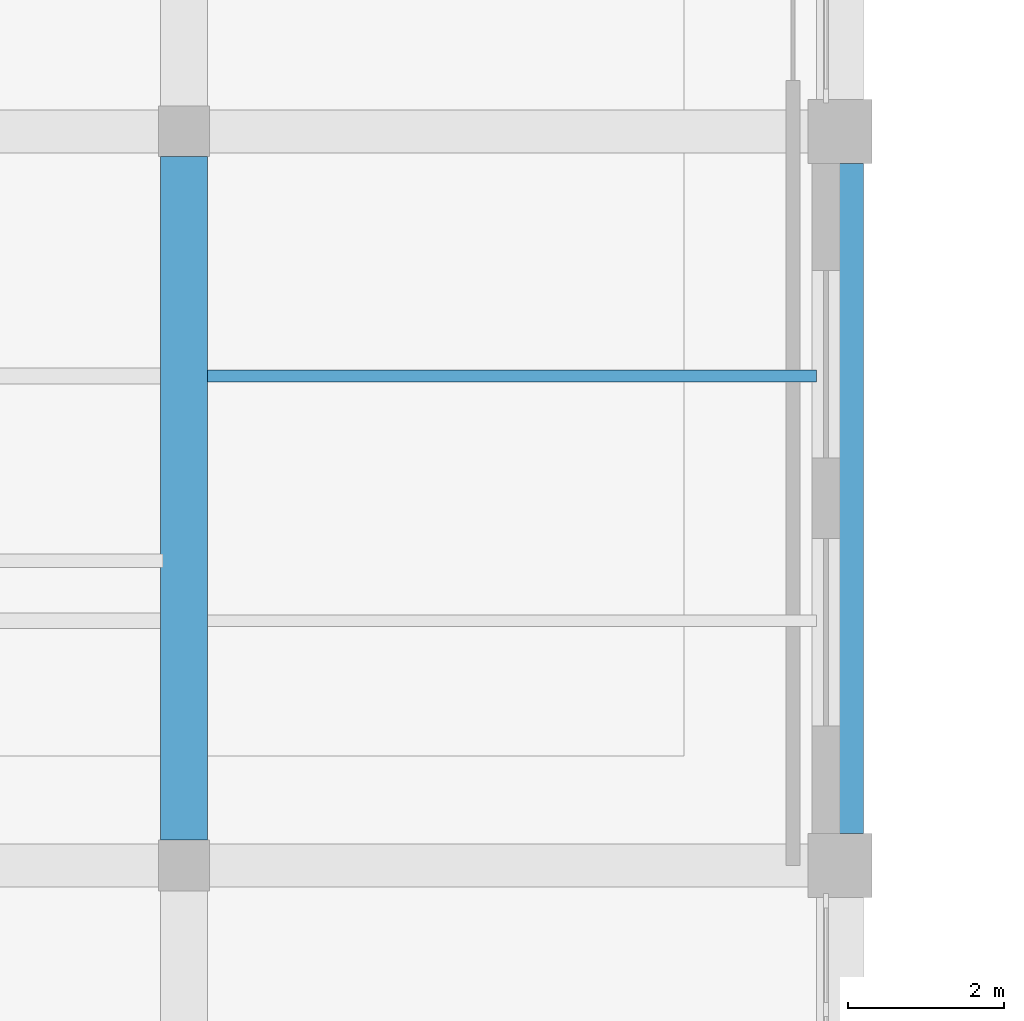
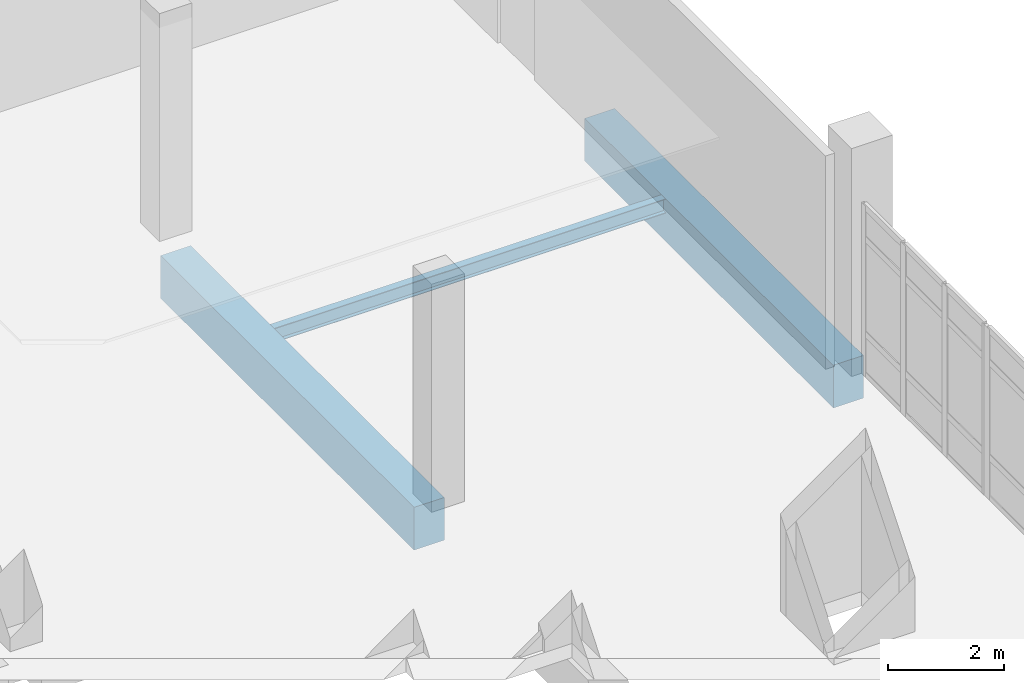
# One storey, part 27 of 90: 3 beams.
"""IFC4 building model written with IfcOpenShell, lengths in metres."""

from ifc_helpers import new_model, si_unit, direction, frame, origin, origin_2d, place, context, subcontext, project, spatial, rectangle, i_section, extrude, material, material_profile, profile_set, type_object, element, save


model = new_model("IFC4")

# Units and contexts
model_context = context("Model", 3, precision=1e-05, world=origin(), true_north=direction((0.0, 1.0)))
body_context = subcontext(model_context, "Body", "Model", "MODEL_VIEW")
ifc_project = project(units=[si_unit("LENGTHUNIT", "METRE"), si_unit("AREAUNIT", "SQUARE_METRE"), si_unit("VOLUMEUNIT", "CUBIC_METRE"), si_unit("PLANEANGLEUNIT", "RADIAN"), si_unit("MASSUNIT", "GRAM", prefix="KILO")], contexts=[model_context])

# Site, building, storey
site_placement = place(None, origin())
site = spatial("IfcSite", under=ifc_project, at=site_placement, CompositionType="ELEMENT")
building_placement = place(site_placement, origin())
building = spatial("IfcBuilding", under=site, at=building_placement, Name="Kelarvand Opera House", CompositionType="ELEMENT")
storey_placement = place(building_placement, frame((0.0, 0.0, 5.39990234375)))
storey = spatial("IfcBuildingStorey", under=building, at=storey_placement, Name="L01", CompositionType="ELEMENT", Elevation=5.39990234375)

# Beams
ifc_material_1 = material(Name="Concrete C40/50", Category="concrete")
ifc_material_profile_1 = material_profile(ifc_material_1, rectangle(XDim=0.60009765625, YDim=0.89990234375, at=origin_2d()), Name="RC 600x900", Category="concrete")
ifc_profile_set_1 = profile_set([ifc_material_profile_1], Name="Concrete C40/50")
beam_type_1 = type_object("IfcBeamType", Name="Structural Beam RC 600x900 BM-RC600x900", PredefinedType="BEAM", material=ifc_profile_set_1)
beam_1_placement = place(storey_placement, frame((42.60009765625, 96.925048828125, -0.75), z_axis=(0.0, 1.0, 0.0), x_axis=(-1.0, 0.0, 0.0)))
element("IfcBeam", 1, at=beam_1_placement, inside=storey, type_object=beam_type_1, Name="V3 L01 Beam BM-RC600x900", PredefinedType="BEAM", context=body_context, shape_type="SweptSolid", body=[
    extrude(rectangle(XDim=0.60009765625, YDim=0.89990234375, at=origin_2d()), origin(), (0.0, 0.0, 1.0), 8.75),
])
ifc_material_2 = material(Name="Steel S355", Category="steel")
ifc_material_profile_2 = material_profile(ifc_material_2, i_section(OverallWidth=0.14990234375, OverallDepth=0.300048828125, WebThickness=0.007080078125, FlangeThickness=0.0107421875, at=origin_2d()), Name="IPE 300", Category="steel")
ifc_profile_set_2 = profile_set([ifc_material_profile_2], Name="Steel S355")
beam_type_2 = type_object("IfcBeamType", Name="Structural Joist IPE 300 JS-IPE300", PredefinedType="JOIST", material=ifc_profile_set_2)
beam_2_placement = place(storey_placement, frame((42.89990234375, 102.86669921875, -0.449951171875), z_axis=(1.0, 0.0, 0.0), x_axis=(0.0, 1.0, 0.0)))
element("IfcBeam", 2, at=beam_2_placement, inside=storey, type_object=beam_type_2, Name="V3 L01 Beam JS-IPE300", PredefinedType="JOIST", context=body_context, shape_type="SweptSolid", body=[
    extrude(i_section(OverallWidth=0.14990234375, OverallDepth=0.300048828125, WebThickness=0.007080078125, FlangeThickness=0.0107421875, at=origin_2d()), origin(), (0.0, 0.0, 1.0), 7.800048828125),
])
ifc_material_profile_3 = material_profile(ifc_material_1, rectangle(XDim=0.60009765625, YDim=0.89990234375, at=origin_2d()), Name="RC 600x900", Category="concrete")
ifc_profile_set_3 = profile_set([ifc_material_profile_3], Name="Concrete C40/50")
beam_type_3 = type_object("IfcBeamType", Name="Structural Spandrel RC 600x900 SP-RC600x900E", PredefinedType="SPANDREL", material=ifc_profile_set_3)
beam_3_placement = place(storey_placement, frame((51.0, 97.010009765625, -0.75), z_axis=(0.0, 1.0, 0.0), x_axis=(-1.0, 0.0, 0.0)))
element("IfcBeam", 3, at=beam_3_placement, inside=storey, type_object=beam_type_3, Name="V3 L01 Beam SP-RC600x900E", PredefinedType="SPANDREL", context=body_context, shape_type="SweptSolid", body=[
    extrude(rectangle(XDim=0.60009765625, YDim=0.89990234375, at=origin_2d()), origin(), (0.0, 0.0, 1.0), 8.580078125),
])

save(model, "model.ifc")
